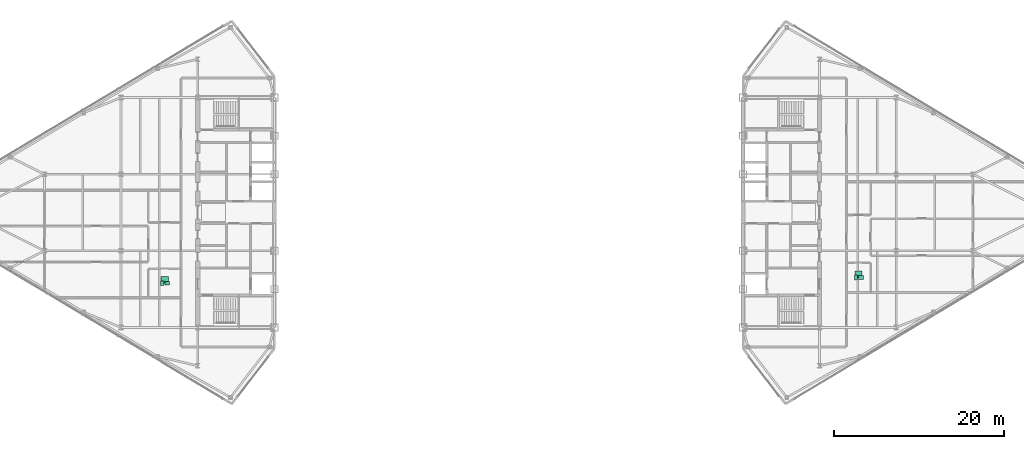
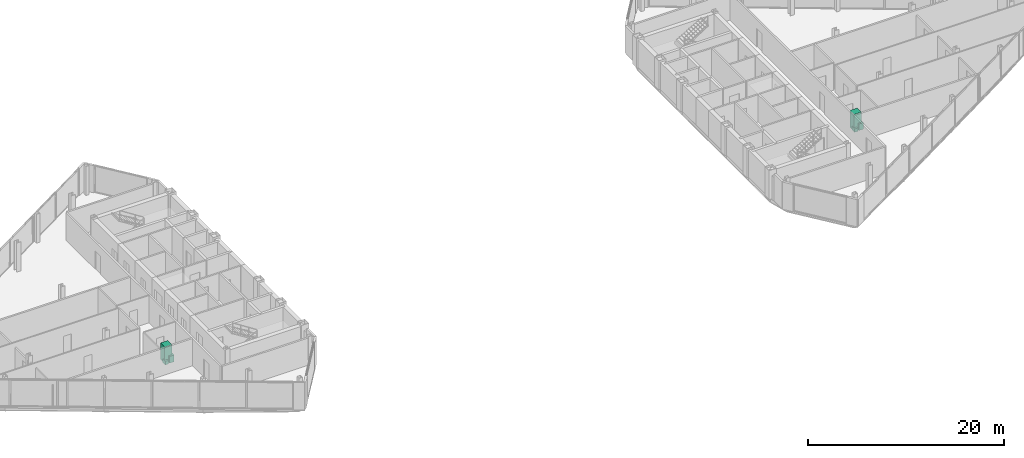
# One storey, part 25 of 25: 6 sanitary terminals.
"""IFC4 building model written with IfcOpenShell, lengths in metres."""

from ifc_helpers import new_model, si_unit, direction, frame, origin, origin_2d, place, context, subcontext, project, spatial, rectangle, extrude, source, transform, mapped, material, type_object, type_shapes, element, save


model = new_model("IFC4")

# Units and contexts
model_context = context("Model", 3, precision=1e-05, world=origin(), true_north=direction((0.0, 1.0)))
body_context = subcontext(model_context, "Body", "Model", "MODEL_VIEW")
ifc_project = project(units=[si_unit("LENGTHUNIT", "METRE"), si_unit("AREAUNIT", "SQUARE_METRE"), si_unit("VOLUMEUNIT", "CUBIC_METRE"), si_unit("PLANEANGLEUNIT", "RADIAN"), si_unit("MASSUNIT", "GRAM", prefix="KILO")], contexts=[model_context])

# Site, building, storey
site_placement = place(None, origin())
site = spatial("IfcSite", under=ifc_project, at=site_placement, CompositionType="ELEMENT")
building_placement = place(site_placement, origin())
building = spatial("IfcBuilding", under=site, at=building_placement, Name="Seokmaru Belvedere", CompositionType="ELEMENT")
storey_placement = place(building_placement, frame((0.0, 0.0, 210.300048828125)))
storey = spatial("IfcBuildingStorey", under=building, at=storey_placement, Name="L56", CompositionType="ELEMENT", Elevation=210.300048828125)

# Sanitary terminals
ifc_material_1 = material(Name="Vitreous China Sanitaryware")
sanitary_terminal_type_1 = type_object("IfcSanitaryTerminalType", Name="Wall-Hung Vitreous China WC Pan", PredefinedType="TOILETPAN", material=ifc_material_1)
shared_shape_1 = source(origin(), body_context, "Body", "SweptSolid", [
    extrude(rectangle(XDim=0.3798828125, YDim=0.56005859375, at=origin_2d()), origin(), (0.0, 0.0, 1.0), 0.419921875),
])
type_shapes(sanitary_terminal_type_1, [shared_shape_1])
for number, where, z_axis, x_axis, name in (
    (1, (-40.675048828125, -8.300048828125, 0.0), (0.0, 0.0, 1.0), (1.0, 0.0, 0.0), "L56 Vitreous China WC 0263"),
    (2, (40.77490234375, -7.64599609375, 0.0), (0.0, 0.0, 1.0), (1.0, 0.0, 0.0), "L56 Vitreous China WC 0264"),
):
    element("IfcSanitaryTerminal", number, at=place(storey_placement, frame(where, z_axis=z_axis, x_axis=x_axis)), inside=storey, type_object=sanitary_terminal_type_1, Name=name, PredefinedType="TOILETPAN", context=body_context, shape_type="MappedRepresentation", body=[
        mapped(shared_shape_1, transform((0.0, 0.0, 0.0), scale=1.0)),
    ])
sanitary_terminal_type_2 = type_object("IfcSanitaryTerminalType", Name="Countertop Ceramic Washhand Basin", PredefinedType="WASHHANDBASIN", material=ifc_material_1)
shared_shape_2 = source(origin(), body_context, "Body", "SweptSolid", [
    extrude(rectangle(XDim=0.550048828125, YDim=0.449951171875, at=origin_2d()), origin(), (0.0, 0.0, 1.0), 0.820068359375),
])
type_shapes(sanitary_terminal_type_2, [shared_shape_2])
for number, where, z_axis, x_axis, name in (
    (3, (-40.074951171875, -8.300048828125, 0.0), (0.0, 0.0, 1.0), (1.0, 0.0, 0.0), "L56 Ceramic Washhand Basin 0263"),
    (4, (41.375, -7.64599609375, 0.0), (0.0, 0.0, 1.0), (1.0, 0.0, 0.0), "L56 Ceramic Washhand Basin 0264"),
):
    element("IfcSanitaryTerminal", number, at=place(storey_placement, frame(where, z_axis=z_axis, x_axis=x_axis)), inside=storey, type_object=sanitary_terminal_type_2, Name=name, PredefinedType="WASHHANDBASIN", context=body_context, shape_type="MappedRepresentation", body=[
        mapped(shared_shape_2, transform((0.0, 0.0, 0.0), scale=1.0)),
    ])
ifc_material_2 = material(Name="Stainless Steel 316", Category="steel")
sanitary_terminal_type_3 = type_object("IfcSanitaryTerminalType", Name="Walk-In Thermostatic Rain Shower Enclosure", PredefinedType="SHOWER", material=ifc_material_2)
shared_shape_3 = source(origin(), body_context, "Body", "SweptSolid", [
    extrude(rectangle(XDim=0.85009765625, YDim=0.85009765625, at=origin_2d()), origin(), (0.0, 0.0, 1.0), 2.050048828125),
])
type_shapes(sanitary_terminal_type_3, [shared_shape_3])
for number, where, z_axis, x_axis, name in (
    (5, (-40.375, -7.919921875, 0.0), (0.0, 0.0, 1.0), (1.0, 0.0, 0.0), "L56 Walk-In Shower 0263"),
    (6, (41.074951171875, -7.26611328125, 0.0), (0.0, 0.0, 1.0), (1.0, 0.0, 0.0), "L56 Walk-In Shower 0264"),
):
    element("IfcSanitaryTerminal", number, at=place(storey_placement, frame(where, z_axis=z_axis, x_axis=x_axis)), inside=storey, type_object=sanitary_terminal_type_3, Name=name, PredefinedType="SHOWER", context=body_context, shape_type="MappedRepresentation", body=[
        mapped(shared_shape_3, transform((0.0, 0.0, 0.0), scale=1.0)),
    ])

save(model, "model.ifc")
